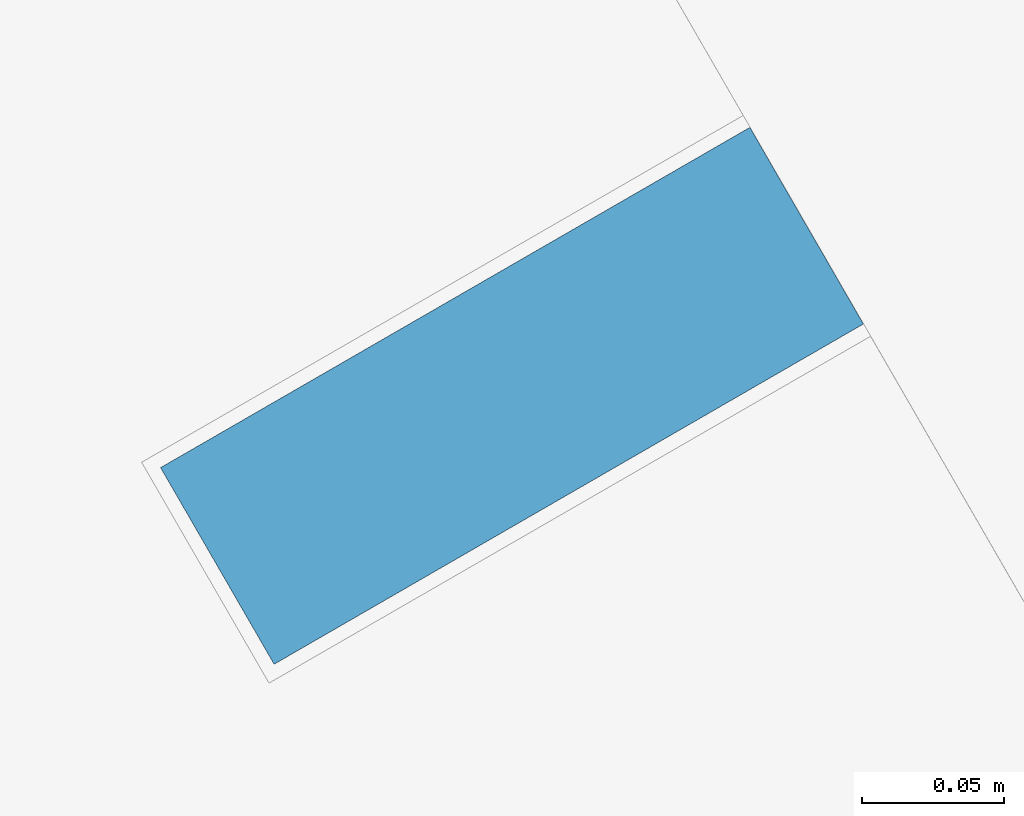
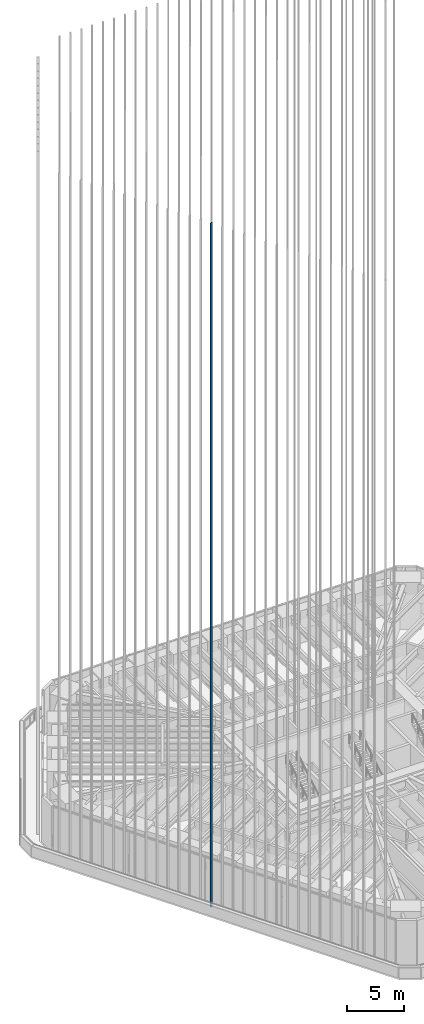
# One storey, part 47 of 228: 1 member, 1 element without a shape of its own.
"""IFC4 building model written with IfcOpenShell, lengths in metres."""

import ifcopenshell
import ifcopenshell.guid

model = None  # the IFC model being written
_history = None  # IfcOwnerHistory: only IFC2X3 demands one
_inside = {}  # id of a spatial element -> (the spatial element, [elements in it])
_under = {}  # id of a project, library or spatial element -> (it, [spatial elements below it])
_declared = {}  # id of a project -> (the project, [libraries it declares])
_typed = {}  # id of a type object -> (the type object, [elements of that type])
_made_of = {}  # id of a material, layer set ... -> (it, [elements and type objects made of it])


def new_model(schema):
    """Start an empty IFC model of exactly this schema.

    Asked for "IFC4X3", IfcOpenShell would pick the latest addendum, in which some entities
    have other attributes; the version numbers below select the first issue.
    IFC2X3 requires an IfcOwnerHistory on every rooted entity: one is made here for all.
    """
    global model, _history
    if schema == "IFC4X3":
        model = ifcopenshell.file(schema_version=(4, 3, 0, 0))
    else:
        model = ifcopenshell.file(schema=schema)
    _inside.clear()
    _under.clear()
    _declared.clear()
    _typed.clear()
    _made_of.clear()
    _history = None
    if model.schema == "IFC2X3":
        org = make("IfcOrganization", Name="unknown")
        user = make(
            "IfcPersonAndOrganization",
            ThePerson=make("IfcPerson", FamilyName="unknown"),
            TheOrganization=org,
        )
        app = make(
            "IfcApplication",
            ApplicationDeveloper=org,
            Version="unknown",
            ApplicationFullName="unknown",
            ApplicationIdentifier="unknown",
        )
        _history = make(
            "IfcOwnerHistory",
            OwningUser=user,
            OwningApplication=app,
            ChangeAction="ADDED",
            CreationDate=0,
        )
    return model


def make(cls, **values):
    """One entity of the class cls with the attributes given. An attribute that is None is left unset."""
    return model.create_entity(
        cls, **{name: value for name, value in values.items() if value is not None}
    )


def rooted(cls, **values):
    """An entity with a GlobalId (a new one), such as an element, a storey or a relation."""
    return make(cls, GlobalId=ifcopenshell.guid.new(), OwnerHistory=_history, **values)


def si_unit(unit_type, name, prefix=None):
    """IfcSIUnit, for example si_unit("LENGTHUNIT", "METRE", prefix="MILLI")."""
    return make("IfcSIUnit", UnitType=unit_type, Prefix=prefix, Name=name)


def assignment(units):
    """IfcUnitAssignment: the units of a project."""
    return None if units is None else make("IfcUnitAssignment", Units=units)


def point(xyz):
    """IfcCartesianPoint."""
    return None if xyz is None else make("IfcCartesianPoint", Coordinates=xyz)


def direction(xyz):
    """IfcDirection."""
    return None if xyz is None else make("IfcDirection", DirectionRatios=xyz)


def frame(location, z_axis=None, x_axis=None):
    """IfcAxis2Placement3D, a coordinate frame: its origin and axes. An axis left out is left unset."""
    return make(
        "IfcAxis2Placement3D",
        Location=point(location),
        Axis=direction(z_axis),
        RefDirection=direction(x_axis),
    )


def frame_2d(location, x_axis=None):
    """IfcAxis2Placement2D, a coordinate frame in the plane: its origin and x axis."""
    return make(
        "IfcAxis2Placement2D", Location=point(location), RefDirection=direction(x_axis)
    )


def origin():
    """The frame at (0, 0, 0) with its axes left unset."""
    return frame((0.0, 0.0, 0.0))


def origin_2d():
    """The frame at (0, 0) in the plane with its x axis left unset."""
    return frame_2d((0.0, 0.0))


def place(relative_to, where):
    """IfcLocalPlacement: puts the frame where relative to a parent placement (None: the world)."""
    return make(
        "IfcLocalPlacement", PlacementRelTo=relative_to, RelativePlacement=where
    )


def context(
    kind, dimensions, precision=None, world=None, true_north=None, identifier=None
):
    """IfcGeometricRepresentationContext, for example the 3D "Model" context."""
    return make(
        "IfcGeometricRepresentationContext",
        ContextIdentifier=identifier,
        ContextType=kind,
        CoordinateSpaceDimension=dimensions,
        Precision=precision,
        WorldCoordinateSystem=world,
        TrueNorth=true_north,
    )


def subcontext(parent, identifier, kind, view, scale=None):
    """IfcGeometricRepresentationSubContext, for example "Body" below "Model"."""
    return make(
        "IfcGeometricRepresentationSubContext",
        ContextIdentifier=identifier,
        ContextType=kind,
        ParentContext=parent,
        TargetScale=scale,
        TargetView=view,
    )


def project(units=None, contexts=None):
    """IfcProject with its units and contexts."""
    return rooted(
        "IfcProject",
        Name="project",
        RepresentationContexts=contexts,
        UnitsInContext=assignment(units),
    )


def spatial(cls, under=None, at=None, **own):
    """A site, building, storey or space (cls), placed at a placement, below another one or the project."""
    s = rooted(cls, ObjectPlacement=at, **own)
    if under is not None:
        _under.setdefault(under.id(), (under, []))[1].append(s)
    return s


def profile(cls, at=None, kind="AREA", **sizes):
    """A parametric profile (cls). Its sizes go by their IFC names, for example OverallWidth=200.0."""
    return make(cls, ProfileType=kind, Position=at, **sizes)


def rectangle(**sizes):
    """IfcRectangleProfileDef."""
    return profile("IfcRectangleProfileDef", **sizes)


def extrude(swept, where, along, depth):
    """IfcExtrudedAreaSolid: the profile swept, set in the frame where, extruded along a direction by depth."""
    return make(
        "IfcExtrudedAreaSolid",
        SweptArea=swept,
        Position=where,
        ExtrudedDirection=direction(along),
        Depth=depth,
    )


def shape(context_of_items, identifier, shape_type, items):
    """IfcShapeRepresentation: the items that make up one representation, for example the "Body"."""
    return make(
        "IfcShapeRepresentation",
        ContextOfItems=context_of_items,
        RepresentationIdentifier=identifier,
        RepresentationType=shape_type,
        Items=items,
    )


def material(Name=None, Category=None):
    """IfcMaterial."""
    return make("IfcMaterial", Name=Name, Category=Category)


def material_profile(
    of_material, cross_section, Name=None, Category=None, Priority=None
):
    """IfcMaterialProfile: a cross section and its material."""
    return make(
        "IfcMaterialProfile",
        Name=Name,
        Material=of_material,
        Profile=cross_section,
        Priority=Priority,
        Category=Category,
    )


def profile_set(profiles, Name=None, composite=None):
    """IfcMaterialProfileSet."""
    return make(
        "IfcMaterialProfileSet",
        Name=Name,
        MaterialProfiles=profiles,
        CompositeProfile=composite,
    )


def made_of(thing, what):
    """Note that an element or type object is made of a material, layer set ...; save() writes the relation."""
    if what is not None:
        _made_of.setdefault(what.id(), (what, []))[1].append(thing)
    return thing


def type_object(cls, material=None, **own):
    """A type object (cls), such as IfcWallType, which elements share."""
    return made_of(rooted(cls, **own), material)


def element(
    cls,
    number,
    at=None,
    inside=None,
    cuts=None,
    type_object=None,
    material=None,
    context=None,
    identifier="Body",
    shape_type=None,
    held_by="IfcProductDefinitionShape",
    body=None,
    shapes=None,
    **own,
):
    """One element of the class cls, such as IfcWall. Its Tag is "e" and its number.

    at: its placement. inside: the storey or other place that contains it. cuts: it is an
    opening in that element (IfcRelVoidsElement). A single representation is given by context,
    identifier, shape_type and body (its items); several are given by shapes. held_by: the class
    of the entity that holds the representations. save() writes the other relations.
    """
    e = rooted(cls, Tag="e%d" % number, ObjectPlacement=at, **own)
    if body is not None:
        shapes = [shape(context, identifier, shape_type, body)]
    if shapes is not None:
        e.Representation = make(held_by, Representations=shapes)
    if inside is not None:
        _inside.setdefault(inside.id(), (inside, []))[1].append(e)
    if cuts is not None:
        rooted(
            "IfcRelVoidsElement", RelatingBuildingElement=cuts, RelatedOpeningElement=e
        )
    if type_object is not None:
        _typed.setdefault(type_object.id(), (type_object, []))[1].append(e)
    return made_of(e, material)


def aggregate(whole, parts):
    """IfcRelAggregates: a whole, such as a stair, and the parts it consists of."""
    return rooted("IfcRelAggregates", RelatingObject=whole, RelatedObjects=parts)


def save(model, path):
    """Write the relations noted so far, then the file.

    IfcRelAggregates (storeys below a building ...), IfcRelContainedInSpatialStructure (elements
    in a storey), IfcRelDefinesByType, IfcRelAssociatesMaterial and IfcRelDeclares: one each for
    every whole, place, type object, material and project.
    """
    for whole, parts in _under.values():
        aggregate(whole, parts)
    for where, things in _inside.values():
        rooted(
            "IfcRelContainedInSpatialStructure",
            RelatedElements=things,
            RelatingStructure=where,
        )
    for kind, things in _typed.values():
        rooted("IfcRelDefinesByType", RelatedObjects=things, RelatingType=kind)
    for what, things in _made_of.values():
        rooted("IfcRelAssociatesMaterial", RelatedObjects=things, RelatingMaterial=what)
    for by, libraries in _declared.values():
        rooted("IfcRelDeclares", RelatingContext=by, RelatedDefinitions=libraries)
    model.write(path)


model = new_model("IFC4")

# Units and contexts
model_context = context("Model", 3, precision=1e-05, world=origin(), true_north=direction((0.0, 1.0)))
body_context = subcontext(model_context, "Body", "Model", "MODEL_VIEW")
ifc_project = project(units=[si_unit("LENGTHUNIT", "METRE"), si_unit("AREAUNIT", "SQUARE_METRE"), si_unit("VOLUMEUNIT", "CUBIC_METRE"), si_unit("PLANEANGLEUNIT", "RADIAN"), si_unit("MASSUNIT", "GRAM", prefix="KILO")], contexts=[model_context])

# Site, building, storey
site_placement = place(None, origin())
site = spatial("IfcSite", under=ifc_project, at=site_placement, CompositionType="ELEMENT")
building_placement = place(site_placement, origin())
building = spatial("IfcBuilding", under=site, at=building_placement, Name="Sandreach Pilgrim Tower", CompositionType="ELEMENT")
storey_placement = place(building_placement, frame((0.0, 0.0, 178.199951171875)))
storey = spatial("IfcBuildingStorey", under=building, at=storey_placement, Name="L44", CompositionType="ELEMENT", Elevation=178.199951171875)

# Curtain wall, member
ifc_material_1 = material(Name="Aluminium framed curtain wall", Category="aluminium")
curtain_wall_type = type_object("IfcCurtainWallType", Name="Upper hotel tower curtain wall", PredefinedType="NOTDEFINED", material=ifc_material_1)
curtain_wall_placement = place(storey_placement, origin())
curtain_wall = element("IfcCurtainWall", 1, at=curtain_wall_placement, inside=storey, type_object=curtain_wall_type, Name="CW-3 L44 SW", PredefinedType="NOTDEFINED")
ifc_material_2 = material(Name="Extruded terracotta on aluminium core", Category="masonry")
ifc_material_profile = material_profile(ifc_material_2, rectangle(XDim=0.080078125, YDim=0.239990234375, at=origin_2d()), Name="TBW 80X240")
ifc_profile_set = profile_set([ifc_material_profile], Name="Extruded terracotta on aluminium core")
member_type = type_object("IfcMemberType", Name="Terracotta baguette west", PredefinedType="USERDEFINED", material=ifc_profile_set)
member_placement = place(storey_placement, frame((-19.239990234375, -9.835693359375, 0.0), z_axis=(0.0, 0.0, 1.0), x_axis=(-0.5, 0.866025403784, 0.0)))
member = element("IfcMember", 2, at=member_placement, type_object=member_type, Name="Baguette Z3 SW17", ObjectType="BAGUETTE", PredefinedType="USERDEFINED", context=body_context, shape_type="SweptSolid", body=[
    extrude(rectangle(XDim=0.080078125, YDim=0.239990234375, at=origin_2d()), origin(), (0.0, 0.0, 1.0), 73.239990234375),
])
aggregate(curtain_wall, [member])

save(model, "model.ifc")
